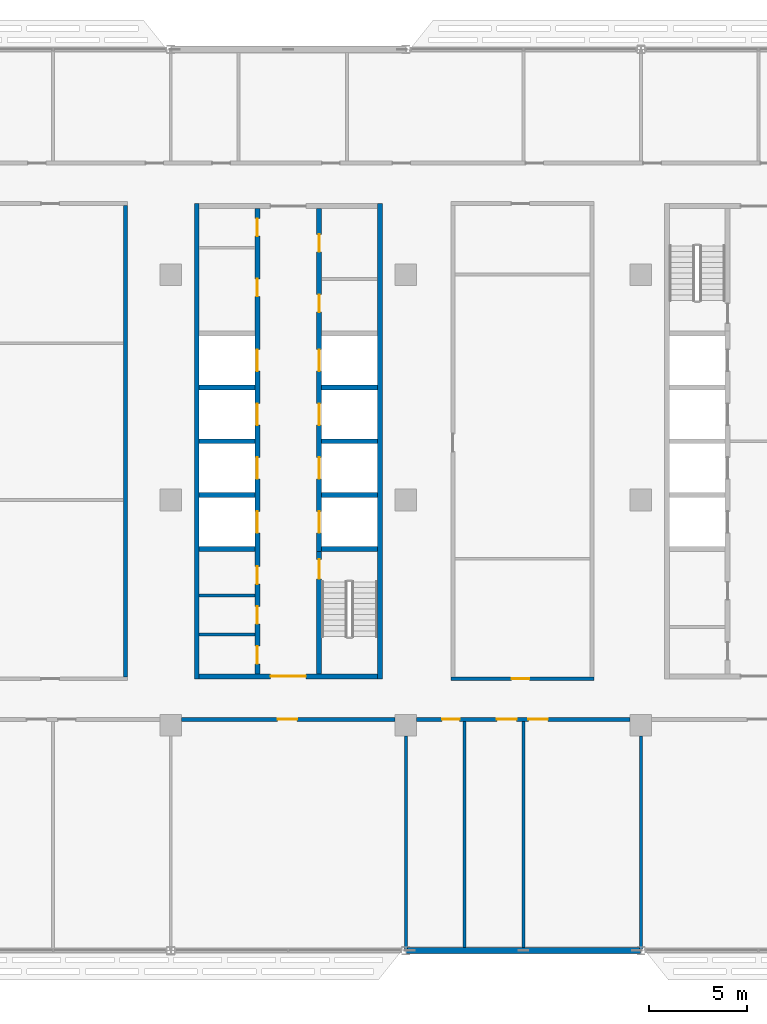
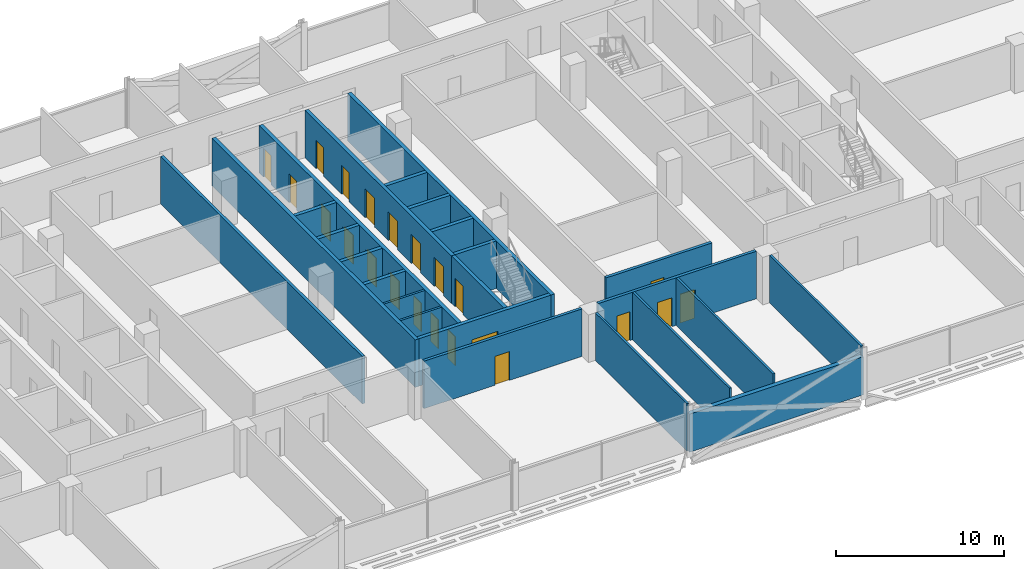
# One storey, part 14 of 30: 25 walls, 22 doors, 22 openings.
"""IFC4 building model written with IfcOpenShell, lengths in metres."""

from ifc_helpers import new_model, si_unit, direction, frame, frame_2d, origin, place, context, subcontext, project, spatial, rectangle, extrude, material, layer, layer_set, type_object, element, fill, save


model = new_model("IFC4")

# Units and contexts
model_context = context("Model", 3, precision=1e-05, world=origin(), true_north=direction((0.0, 1.0)))
body_context = subcontext(model_context, "Body", "Model", "MODEL_VIEW")
ifc_project = project(units=[si_unit("LENGTHUNIT", "METRE"), si_unit("AREAUNIT", "SQUARE_METRE"), si_unit("VOLUMEUNIT", "CUBIC_METRE"), si_unit("PLANEANGLEUNIT", "RADIAN"), si_unit("MASSUNIT", "GRAM", prefix="KILO")], contexts=[model_context])

# Site, building, storey
site_placement = place(None, origin())
site = spatial("IfcSite", under=ifc_project, at=site_placement, CompositionType="ELEMENT")
building_placement = place(site_placement, origin())
building = spatial("IfcBuilding", under=site, at=building_placement, Name="Mahtab Terrace Research Tower", CompositionType="ELEMENT")
storey_placement = place(building_placement, frame((0.0, 0.0, 212.89990234375)))
storey = spatial("IfcBuildingStorey", under=building, at=storey_placement, Name="L51", CompositionType="ELEMENT", Elevation=212.89990234375)

# Walls
ifc_material_1 = material(Name="Gypsum board partition")
ifc_layer_1 = layer(ifc_material_1, 0.14990234375)
ifc_layer_set_1 = layer_set([ifc_layer_1], Name="Core partition 150")
wall_type_1 = type_object("IfcWallType", Name="Core partition 150", PredefinedType="PARTITIONING", material=ifc_layer_set_1)
for number, where, z_axis, x_axis, name in (
    (1, (-4.550048828125, -6.875, 0.0), (0.0, 0.0, 1.0), (1.0, 0.0, 0.0), "Core wall B pWS-988"),
    (2, (-4.550048828125, -4.875, 0.0), (0.0, 0.0, 1.0), (1.0, 0.0, 0.0), "Core wall B pWS-788"),
):
    element("IfcWall", number, at=place(storey_placement, frame(where, z_axis=z_axis, x_axis=x_axis)), inside=storey, type_object=wall_type_1, Name=name, PredefinedType="PARTITIONING", context=body_context, shape_type="SweptSolid", body=[
        extrude(rectangle(XDim=2.85009765625, YDim=0.14990234375, at=frame_2d((1.425048828125, 0.0))), origin(), (0.0, 0.0, 1.0), 3.460205078125),
    ])
ifc_material_2 = material(Name="Concrete C70/85", Category="concrete")
ifc_layer_2 = layer(ifc_material_2, 0.25)
ifc_layer_set_2 = layer_set([ifc_layer_2], Name="Core wall 250")
wall_type_2 = type_object("IfcWallType", Name="Core wall 250", PredefinedType="SOLIDWALL", material=ifc_layer_set_2)
for number, where, z_axis, x_axis, name in (
    (3, (-4.675048828125, 15.125, 0.0), (0.0, 0.0, 1.0), (0.0, -1.0, 0.0), "Core wall B outerW"),
    (4, (4.675048828125, -9.125, 0.0), (0.0, 0.0, 1.0), (0.0, 1.0, 0.0), "Core wall B outerE"),
):
    element("IfcWall", number, at=place(storey_placement, frame(where, z_axis=z_axis, x_axis=x_axis)), inside=storey, type_object=wall_type_2, Name=name, PredefinedType="SOLIDWALL", context=body_context, shape_type="SweptSolid", body=[
        extrude(rectangle(XDim=24.25, YDim=0.25, at=frame_2d((12.125, 0.0))), origin(), (0.0, 0.0, 1.0), 3.460205078125),
    ])

# Wall, opening, door
wall_1_placement = place(storey_placement, frame((4.550048828125, -9.0, 0.0), z_axis=(0.0, 0.0, 1.0), x_axis=(-1.0, 0.0, 0.0)))
wall_1 = element("IfcWall", 5, at=wall_1_placement, inside=storey, type_object=wall_type_2, Name="Core wall B endS", PredefinedType="SOLIDWALL", context=body_context, shape_type="SweptSolid", body=[
    extrude(rectangle(XDim=9.10009765625, YDim=0.25, at=frame_2d((4.550048828125, 0.0))), origin(), (0.0, 0.0, 1.0), 3.460205078125),
])
opening_1_placement = place(wall_1_placement, frame((3.64990234375, 0.0, 0.0)))
opening_1 = element("IfcOpeningElement", 6, at=opening_1_placement, cuts=wall_1, Name="Opening B-S1", PredefinedType="OPENING", context=body_context, shape_type="SweptSolid", body=[
    extrude(rectangle(XDim=1.800048828125, YDim=2.10009765625, at=frame_2d((0.89990234375, 1.050048828125))), frame((0.0, 0.135009765625, 0.0), z_axis=(0.0, -1.0, 0.0), x_axis=(1.0, 0.0, 0.0)), (0.0, 0.0, 1.0), 0.27001953125),
])
ifc_material_3 = material(Name="Steel fire door", Category="steel")
door_type_1 = type_object("IfcDoorType", Name="Lobby double door 1800x2100 1 HR", OperationType="DOUBLE_DOOR_SINGLE_SWING", PredefinedType="DOOR", material=ifc_material_3)
door_1_placement = place(opening_1_placement, origin())
door_1 = element("IfcDoor", 7, at=door_1_placement, inside=storey, type_object=door_type_1, Name="Core entrance door B S", OperationType="DOUBLE_DOOR_SINGLE_SWING", OverallHeight=2.10009765625, OverallWidth=1.800048828125, PredefinedType="DOOR", context=body_context, shape_type="SweptSolid", body=[
    extrude(rectangle(XDim=1.800048828125, YDim=2.10009765625, at=frame_2d((0.89990234375, 1.050048828125))), frame((0.0, 0.02490234375, 0.0), z_axis=(0.0, -1.0, 0.0), x_axis=(1.0, 0.0, 0.0)), (0.0, 0.0, 1.0), 0.050048828125),
])
fill(opening_1, door_1)

# Wall, openings, doors
wall_2_placement = place(storey_placement, frame((-1.574951171875, -8.875, 0.0), z_axis=(0.0, 0.0, 1.0), x_axis=(0.0, 1.0, 0.0)))
wall_2 = element("IfcWall", 8, at=wall_2_placement, inside=storey, type_object=wall_type_2, Name="Core wall B innerWSLN", PredefinedType="SOLIDWALL", context=body_context, shape_type="SweptSolid", body=[
    extrude(rectangle(XDim=23.75, YDim=0.25, at=frame_2d((11.875, 0.0))), origin(), (0.0, 0.0, 1.0), 3.460205078125),
])
opening_2_placement = place(wall_2_placement, frame((7.199951171875, 0.0, 0.0)))
opening_2 = element("IfcOpeningElement", 9, at=opening_2_placement, cuts=wall_2, Name="Opening LD09-L51", PredefinedType="OPENING", context=body_context, shape_type="SweptSolid", body=[
    extrude(rectangle(XDim=1.10009765625, YDim=2.10009765625, at=frame_2d((0.550048828125, 1.050048828125))), frame((0.0, 0.135009765625, 0.0), z_axis=(0.0, -1.0, 0.0), x_axis=(1.0, 0.0, 0.0)), (0.0, 0.0, 1.0), 0.27001953125),
])
opening_3_placement = place(wall_2_placement, frame((9.949951171875, 0.0, 0.0)))
opening_3 = element("IfcOpeningElement", 10, at=opening_3_placement, cuts=wall_2, Name="Opening LD10-L51", PredefinedType="OPENING", context=body_context, shape_type="SweptSolid", body=[
    extrude(rectangle(XDim=1.10009765625, YDim=2.10009765625, at=frame_2d((0.550048828125, 1.050048828125))), frame((0.0, 0.135009765625, 0.0), z_axis=(0.0, -1.0, 0.0), x_axis=(1.0, 0.0, 0.0)), (0.0, 0.0, 1.0), 0.27001953125),
])
opening_4_placement = place(wall_2_placement, frame((12.699951171875, 0.0, 0.0)))
opening_4 = element("IfcOpeningElement", 11, at=opening_4_placement, cuts=wall_2, Name="Opening LD11-L51", PredefinedType="OPENING", context=body_context, shape_type="SweptSolid", body=[
    extrude(rectangle(XDim=1.10009765625, YDim=2.10009765625, at=frame_2d((0.550048828125, 1.050048828125))), frame((0.0, 0.135009765625, 0.0), z_axis=(0.0, -1.0, 0.0), x_axis=(1.0, 0.0, 0.0)), (0.0, 0.0, 1.0), 0.27001953125),
])
opening_5_placement = place(wall_2_placement, frame((15.449951171875, 0.0, 0.0)))
opening_5 = element("IfcOpeningElement", 12, at=opening_5_placement, cuts=wall_2, Name="Opening LD12-L51", PredefinedType="OPENING", context=body_context, shape_type="SweptSolid", body=[
    extrude(rectangle(XDim=1.10009765625, YDim=2.10009765625, at=frame_2d((0.550048828125, 1.050048828125))), frame((0.0, 0.135009765625, 0.0), z_axis=(0.0, -1.0, 0.0), x_axis=(1.0, 0.0, 0.0)), (0.0, 0.0, 1.0), 0.27001953125),
])
opening_6_placement = place(wall_2_placement, frame((0.512451171875, 0.0, 0.0)))
opening_6 = element("IfcOpeningElement", 13, at=opening_6_placement, cuts=wall_2, Name="Opening B-R1", PredefinedType="OPENING", context=body_context, shape_type="SweptSolid", body=[
    extrude(rectangle(XDim=0.89990234375, YDim=2.10009765625, at=frame_2d((0.449951171875, 1.050048828125))), frame((0.0, 0.135009765625, 0.0), z_axis=(0.0, -1.0, 0.0), x_axis=(1.0, 0.0, 0.0)), (0.0, 0.0, 1.0), 0.27001953125),
])
opening_7_placement = place(wall_2_placement, frame((2.550048828125, 0.0, 0.0)))
opening_7 = element("IfcOpeningElement", 14, at=opening_7_placement, cuts=wall_2, Name="Opening B-R2", PredefinedType="OPENING", context=body_context, shape_type="SweptSolid", body=[
    extrude(rectangle(XDim=0.89990234375, YDim=2.10009765625, at=frame_2d((0.449951171875, 1.050048828125))), frame((0.0, 0.135009765625, 0.0), z_axis=(0.0, -1.0, 0.0), x_axis=(1.0, 0.0, 0.0)), (0.0, 0.0, 1.0), 0.27001953125),
])
opening_8_placement = place(wall_2_placement, frame((4.58740234375, 0.0, 0.0)))
opening_8 = element("IfcOpeningElement", 15, at=opening_8_placement, cuts=wall_2, Name="Opening B-R3", PredefinedType="OPENING", context=body_context, shape_type="SweptSolid", body=[
    extrude(rectangle(XDim=0.89990234375, YDim=2.10009765625, at=frame_2d((0.449951171875, 1.050048828125))), frame((0.0, 0.135009765625, 0.0), z_axis=(0.0, -1.0, 0.0), x_axis=(1.0, 0.0, 0.0)), (0.0, 0.0, 1.0), 0.27001953125),
])
opening_9_placement = place(wall_2_placement, frame((19.262451171875, 0.0, 0.0)))
opening_9 = element("IfcOpeningElement", 16, at=opening_9_placement, cuts=wall_2, Name="Opening B-R4", PredefinedType="OPENING", context=body_context, shape_type="SweptSolid", body=[
    extrude(rectangle(XDim=0.89990234375, YDim=2.10009765625, at=frame_2d((0.449951171875, 1.050048828125))), frame((0.0, 0.135009765625, 0.0), z_axis=(0.0, -1.0, 0.0), x_axis=(1.0, 0.0, 0.0)), (0.0, 0.0, 1.0), 0.27001953125),
])
opening_10_placement = place(wall_2_placement, frame((22.33740234375, 0.0, 0.0)))
opening_10 = element("IfcOpeningElement", 17, at=opening_10_placement, cuts=wall_2, Name="Opening B-R5", PredefinedType="OPENING", context=body_context, shape_type="SweptSolid", body=[
    extrude(rectangle(XDim=0.89990234375, YDim=2.10009765625, at=frame_2d((0.449951171875, 1.050048828125))), frame((0.0, 0.135009765625, 0.0), z_axis=(0.0, -1.0, 0.0), x_axis=(1.0, 0.0, 0.0)), (0.0, 0.0, 1.0), 0.27001953125),
])
ifc_material_4 = material(Name="Stainless steel AISI 304", Category="steel")
door_type_2 = type_object("IfcDoorType", Name="Landing door 1100x2100", OperationType="DOUBLE_DOOR_SLIDING", PredefinedType="DOOR", material=ifc_material_4)
door_2_placement = place(opening_2_placement, origin())
door_2 = element("IfcDoor", 18, at=door_2_placement, inside=storey, type_object=door_type_2, Name="Landing door HR1 L51", OperationType="DOUBLE_DOOR_SLIDING", OverallHeight=2.10009765625, OverallWidth=1.10009765625, PredefinedType="DOOR", context=body_context, shape_type="SweptSolid", body=[
    extrude(rectangle(XDim=1.10009765625, YDim=2.10009765625, at=frame_2d((0.550048828125, 1.050048828125))), frame((0.0, 0.02490234375, 0.0), z_axis=(0.0, -1.0, 0.0), x_axis=(1.0, 0.0, 0.0)), (0.0, 0.0, 1.0), 0.050048828125),
])
fill(opening_2, door_2)
door_3_placement = place(opening_3_placement, origin())
door_3 = element("IfcDoor", 19, at=door_3_placement, inside=storey, type_object=door_type_2, Name="Landing door HR2 L51", OperationType="DOUBLE_DOOR_SLIDING", OverallHeight=2.10009765625, OverallWidth=1.10009765625, PredefinedType="DOOR", context=body_context, shape_type="SweptSolid", body=[
    extrude(rectangle(XDim=1.10009765625, YDim=2.10009765625, at=frame_2d((0.550048828125, 1.050048828125))), frame((0.0, 0.02490234375, 0.0), z_axis=(0.0, -1.0, 0.0), x_axis=(1.0, 0.0, 0.0)), (0.0, 0.0, 1.0), 0.050048828125),
])
fill(opening_3, door_3)
door_4_placement = place(opening_4_placement, origin())
door_4 = element("IfcDoor", 20, at=door_4_placement, inside=storey, type_object=door_type_2, Name="Landing door HR3 L51", OperationType="DOUBLE_DOOR_SLIDING", OverallHeight=2.10009765625, OverallWidth=1.10009765625, PredefinedType="DOOR", context=body_context, shape_type="SweptSolid", body=[
    extrude(rectangle(XDim=1.10009765625, YDim=2.10009765625, at=frame_2d((0.550048828125, 1.050048828125))), frame((0.0, 0.02490234375, 0.0), z_axis=(0.0, -1.0, 0.0), x_axis=(1.0, 0.0, 0.0)), (0.0, 0.0, 1.0), 0.050048828125),
])
fill(opening_4, door_4)
door_5_placement = place(opening_5_placement, origin())
door_5 = element("IfcDoor", 21, at=door_5_placement, inside=storey, type_object=door_type_2, Name="Landing door HR4 L51", OperationType="DOUBLE_DOOR_SLIDING", OverallHeight=2.10009765625, OverallWidth=1.10009765625, PredefinedType="DOOR", context=body_context, shape_type="SweptSolid", body=[
    extrude(rectangle(XDim=1.10009765625, YDim=2.10009765625, at=frame_2d((0.550048828125, 1.050048828125))), frame((0.0, 0.02490234375, 0.0), z_axis=(0.0, -1.0, 0.0), x_axis=(1.0, 0.0, 0.0)), (0.0, 0.0, 1.0), 0.050048828125),
])
fill(opening_5, door_5)
door_type_3 = type_object("IfcDoorType", Name="Room door 900x2100 1 HR", OperationType="NOTDEFINED", PredefinedType="DOOR", material=ifc_material_3)
door_6_placement = place(opening_6_placement, origin())
door_6 = element("IfcDoor", 22, at=door_6_placement, inside=storey, type_object=door_type_3, Name="Comms riser room door", OperationType="SINGLE_SWING_LEFT", OverallHeight=2.10009765625, OverallWidth=0.89990234375, PredefinedType="DOOR", context=body_context, shape_type="SweptSolid", body=[
    extrude(rectangle(XDim=0.89990234375, YDim=2.10009765625, at=frame_2d((0.449951171875, 1.050048828125))), frame((0.0, 0.02490234375, 0.0), z_axis=(0.0, -1.0, 0.0), x_axis=(1.0, 0.0, 0.0)), (0.0, 0.0, 1.0), 0.050048828125),
])
fill(opening_6, door_6)
door_7_placement = place(opening_7_placement, origin())
door_7 = element("IfcDoor", 23, at=door_7_placement, inside=storey, type_object=door_type_3, Name="Pantry door", OperationType="SINGLE_SWING_RIGHT", OverallHeight=2.10009765625, OverallWidth=0.89990234375, PredefinedType="DOOR", context=body_context, shape_type="SweptSolid", body=[
    extrude(rectangle(XDim=0.89990234375, YDim=2.10009765625, at=frame_2d((0.449951171875, 1.050048828125))), frame((0.0, 0.02490234375, 0.0), z_axis=(0.0, -1.0, 0.0), x_axis=(1.0, 0.0, 0.0)), (0.0, 0.0, 1.0), 0.050048828125),
])
fill(opening_7, door_7)
door_8_placement = place(opening_8_placement, origin())
door_8 = element("IfcDoor", 24, at=door_8_placement, inside=storey, type_object=door_type_3, Name="Cleaners store door", OperationType="SINGLE_SWING_LEFT", OverallHeight=2.10009765625, OverallWidth=0.89990234375, PredefinedType="DOOR", context=body_context, shape_type="SweptSolid", body=[
    extrude(rectangle(XDim=0.89990234375, YDim=2.10009765625, at=frame_2d((0.449951171875, 1.050048828125))), frame((0.0, 0.02490234375, 0.0), z_axis=(0.0, -1.0, 0.0), x_axis=(1.0, 0.0, 0.0)), (0.0, 0.0, 1.0), 0.050048828125),
])
fill(opening_8, door_8)
door_9_placement = place(opening_9_placement, origin())
door_9 = element("IfcDoor", 25, at=door_9_placement, inside=storey, type_object=door_type_3, Name="IT equipment room door", OperationType="SINGLE_SWING_RIGHT", OverallHeight=2.10009765625, OverallWidth=0.89990234375, PredefinedType="DOOR", context=body_context, shape_type="SweptSolid", body=[
    extrude(rectangle(XDim=0.89990234375, YDim=2.10009765625, at=frame_2d((0.449951171875, 1.050048828125))), frame((0.0, 0.02490234375, 0.0), z_axis=(0.0, -1.0, 0.0), x_axis=(1.0, 0.0, 0.0)), (0.0, 0.0, 1.0), 0.050048828125),
])
fill(opening_9, door_9)
door_10_placement = place(opening_10_placement, origin())
door_10 = element("IfcDoor", 26, at=door_10_placement, inside=storey, type_object=door_type_3, Name="Electrical riser room door", OperationType="SINGLE_SWING_LEFT", OverallHeight=2.10009765625, OverallWidth=0.89990234375, PredefinedType="DOOR", context=body_context, shape_type="SweptSolid", body=[
    extrude(rectangle(XDim=0.89990234375, YDim=2.10009765625, at=frame_2d((0.449951171875, 1.050048828125))), frame((0.0, 0.02490234375, 0.0), z_axis=(0.0, -1.0, 0.0), x_axis=(1.0, 0.0, 0.0)), (0.0, 0.0, 1.0), 0.050048828125),
])
fill(opening_10, door_10)

# Wall, opening, door
wall_3_placement = place(storey_placement, frame((1.574951171875, -8.875, 0.0), z_axis=(0.0, 0.0, 1.0), x_axis=(0.0, 1.0, 0.0)))
wall_3 = element("IfcWall", 27, at=wall_3_placement, inside=storey, type_object=wall_type_2, Name="Core wall B innerES", PredefinedType="SOLIDWALL", context=body_context, shape_type="SweptSolid", body=[
    extrude(rectangle(XDim=6.25, YDim=0.25, at=frame_2d((3.125, 0.0))), origin(), (0.0, 0.0, 1.0), 3.460205078125),
])
opening_11_placement = place(wall_3_placement, frame((4.85009765625, 0.0, 0.0)))
opening_11 = element("IfcOpeningElement", 28, at=opening_11_placement, cuts=wall_3, Name="Opening B-ST2", PredefinedType="OPENING", context=body_context, shape_type="SweptSolid", body=[
    extrude(rectangle(XDim=1.0, YDim=2.10009765625, at=frame_2d((0.5, 1.050048828125))), frame((0.0, 0.135009765625, 0.0), z_axis=(0.0, -1.0, 0.0), x_axis=(1.0, 0.0, 0.0)), (0.0, 0.0, 1.0), 0.27001953125),
])
door_type_4 = type_object("IfcDoorType", Name="Stair door 1000x2100 1.5 HR", OperationType="NOTDEFINED", PredefinedType="DOOR", material=ifc_material_3)
door_11_placement = place(opening_11_placement, origin())
door_11 = element("IfcDoor", 29, at=door_11_placement, inside=storey, type_object=door_type_4, Name="Stair door ST2 L51", OperationType="SINGLE_SWING_RIGHT", OverallHeight=2.10009765625, OverallWidth=1.0, PredefinedType="DOOR", context=body_context, shape_type="SweptSolid", body=[
    extrude(rectangle(XDim=1.0, YDim=2.10009765625, at=frame_2d((0.5, 1.050048828125))), frame((0.0, 0.02490234375, 0.0), z_axis=(0.0, -1.0, 0.0), x_axis=(1.0, 0.0, 0.0)), (0.0, 0.0, 1.0), 0.050048828125),
])
fill(opening_11, door_11)

# Wall, openings, doors
wall_4_placement = place(storey_placement, frame((1.574951171875, 14.875, 0.0), z_axis=(0.0, 0.0, 1.0), x_axis=(0.0, -1.0, 0.0)))
wall_4 = element("IfcWall", 30, at=wall_4_placement, inside=storey, type_object=wall_type_2, Name="Core wall B innerELN", PredefinedType="SOLIDWALL", context=body_context, shape_type="SweptSolid", body=[
    extrude(rectangle(XDim=17.5, YDim=0.25, at=frame_2d((8.75, 0.0))), origin(), (0.0, 0.0, 1.0), 3.460205078125),
])
opening_12_placement = place(wall_4_placement, frame((15.449951171875, 0.0, 0.0)))
opening_12 = element("IfcOpeningElement", 31, at=opening_12_placement, cuts=wall_4, Name="Opening LD13-L51", PredefinedType="OPENING", context=body_context, shape_type="SweptSolid", body=[
    extrude(rectangle(XDim=1.10009765625, YDim=2.10009765625, at=frame_2d((0.550048828125, 1.050048828125))), frame((0.0, 0.135009765625, 0.0), z_axis=(0.0, -1.0, 0.0), x_axis=(1.0, 0.0, 0.0)), (0.0, 0.0, 1.0), 0.27001953125),
])
opening_13_placement = place(wall_4_placement, frame((12.699951171875, 0.0, 0.0)))
opening_13 = element("IfcOpeningElement", 32, at=opening_13_placement, cuts=wall_4, Name="Opening LD14-L51", PredefinedType="OPENING", context=body_context, shape_type="SweptSolid", body=[
    extrude(rectangle(XDim=1.10009765625, YDim=2.10009765625, at=frame_2d((0.550048828125, 1.050048828125))), frame((0.0, 0.135009765625, 0.0), z_axis=(0.0, -1.0, 0.0), x_axis=(1.0, 0.0, 0.0)), (0.0, 0.0, 1.0), 0.27001953125),
])
opening_14_placement = place(wall_4_placement, frame((9.949951171875, 0.0, 0.0)))
opening_14 = element("IfcOpeningElement", 33, at=opening_14_placement, cuts=wall_4, Name="Opening LD15-L51", PredefinedType="OPENING", context=body_context, shape_type="SweptSolid", body=[
    extrude(rectangle(XDim=1.10009765625, YDim=2.10009765625, at=frame_2d((0.550048828125, 1.050048828125))), frame((0.0, 0.135009765625, 0.0), z_axis=(0.0, -1.0, 0.0), x_axis=(1.0, 0.0, 0.0)), (0.0, 0.0, 1.0), 0.27001953125),
])
opening_15_placement = place(wall_4_placement, frame((7.199951171875, 0.0, 0.0)))
opening_15 = element("IfcOpeningElement", 34, at=opening_15_placement, cuts=wall_4, Name="Opening LD16-L51", PredefinedType="OPENING", context=body_context, shape_type="SweptSolid", body=[
    extrude(rectangle(XDim=1.10009765625, YDim=2.10009765625, at=frame_2d((0.550048828125, 1.050048828125))), frame((0.0, 0.135009765625, 0.0), z_axis=(0.0, -1.0, 0.0), x_axis=(1.0, 0.0, 0.0)), (0.0, 0.0, 1.0), 0.27001953125),
])
opening_16_placement = place(wall_4_placement, frame((4.387451171875, 0.0, 0.0)))
opening_16 = element("IfcOpeningElement", 35, at=opening_16_placement, cuts=wall_4, Name="Opening B-R6", PredefinedType="OPENING", context=body_context, shape_type="SweptSolid", body=[
    extrude(rectangle(XDim=0.89990234375, YDim=2.10009765625, at=frame_2d((0.449951171875, 1.050048828125))), frame((0.0, 0.135009765625, 0.0), z_axis=(0.0, -1.0, 0.0), x_axis=(1.0, 0.0, 0.0)), (0.0, 0.0, 1.0), 0.27001953125),
])
opening_17_placement = place(wall_4_placement, frame((1.3125, 0.0, 0.0)))
opening_17 = element("IfcOpeningElement", 36, at=opening_17_placement, cuts=wall_4, Name="Opening B-R7", PredefinedType="OPENING", context=body_context, shape_type="SweptSolid", body=[
    extrude(rectangle(XDim=0.89990234375, YDim=2.10009765625, at=frame_2d((0.449951171875, 1.050048828125))), frame((0.0, 0.135009765625, 0.0), z_axis=(0.0, -1.0, 0.0), x_axis=(1.0, 0.0, 0.0)), (0.0, 0.0, 1.0), 0.27001953125),
])
door_12_placement = place(opening_12_placement, origin())
door_12 = element("IfcDoor", 37, at=door_12_placement, inside=storey, type_object=door_type_2, Name="Landing door HR5 L51", OperationType="DOUBLE_DOOR_SLIDING", OverallHeight=2.10009765625, OverallWidth=1.10009765625, PredefinedType="DOOR", context=body_context, shape_type="SweptSolid", body=[
    extrude(rectangle(XDim=1.10009765625, YDim=2.10009765625, at=frame_2d((0.550048828125, 1.050048828125))), frame((0.0, 0.02490234375, 0.0), z_axis=(0.0, -1.0, 0.0), x_axis=(1.0, 0.0, 0.0)), (0.0, 0.0, 1.0), 0.050048828125),
])
fill(opening_12, door_12)
door_13_placement = place(opening_13_placement, origin())
door_13 = element("IfcDoor", 38, at=door_13_placement, inside=storey, type_object=door_type_2, Name="Landing door HR6 L51", OperationType="DOUBLE_DOOR_SLIDING", OverallHeight=2.10009765625, OverallWidth=1.10009765625, PredefinedType="DOOR", context=body_context, shape_type="SweptSolid", body=[
    extrude(rectangle(XDim=1.10009765625, YDim=2.10009765625, at=frame_2d((0.550048828125, 1.050048828125))), frame((0.0, 0.02490234375, 0.0), z_axis=(0.0, -1.0, 0.0), x_axis=(1.0, 0.0, 0.0)), (0.0, 0.0, 1.0), 0.050048828125),
])
fill(opening_13, door_13)
door_14_placement = place(opening_14_placement, origin())
door_14 = element("IfcDoor", 39, at=door_14_placement, inside=storey, type_object=door_type_2, Name="Landing door HR7 L51", OperationType="DOUBLE_DOOR_SLIDING", OverallHeight=2.10009765625, OverallWidth=1.10009765625, PredefinedType="DOOR", context=body_context, shape_type="SweptSolid", body=[
    extrude(rectangle(XDim=1.10009765625, YDim=2.10009765625, at=frame_2d((0.550048828125, 1.050048828125))), frame((0.0, 0.02490234375, 0.0), z_axis=(0.0, -1.0, 0.0), x_axis=(1.0, 0.0, 0.0)), (0.0, 0.0, 1.0), 0.050048828125),
])
fill(opening_14, door_14)
door_15_placement = place(opening_15_placement, origin())
door_15 = element("IfcDoor", 40, at=door_15_placement, inside=storey, type_object=door_type_2, Name="Landing door HR8 L51", OperationType="DOUBLE_DOOR_SLIDING", OverallHeight=2.10009765625, OverallWidth=1.10009765625, PredefinedType="DOOR", context=body_context, shape_type="SweptSolid", body=[
    extrude(rectangle(XDim=1.10009765625, YDim=2.10009765625, at=frame_2d((0.550048828125, 1.050048828125))), frame((0.0, 0.02490234375, 0.0), z_axis=(0.0, -1.0, 0.0), x_axis=(1.0, 0.0, 0.0)), (0.0, 0.0, 1.0), 0.050048828125),
])
fill(opening_15, door_15)
door_16_placement = place(opening_16_placement, origin())
door_16 = element("IfcDoor", 41, at=door_16_placement, inside=storey, type_object=door_type_3, Name="Accessible WC door", OperationType="SINGLE_SWING_RIGHT", OverallHeight=2.10009765625, OverallWidth=0.89990234375, PredefinedType="DOOR", context=body_context, shape_type="SweptSolid", body=[
    extrude(rectangle(XDim=0.89990234375, YDim=2.10009765625, at=frame_2d((0.449951171875, 1.050048828125))), frame((0.0, 0.02490234375, 0.0), z_axis=(0.0, -1.0, 0.0), x_axis=(1.0, 0.0, 0.0)), (0.0, 0.0, 1.0), 0.050048828125),
])
fill(opening_16, door_16)
door_17_placement = place(opening_17_placement, origin())
door_17 = element("IfcDoor", 42, at=door_17_placement, inside=storey, type_object=door_type_3, Name="WC block door", OperationType="SINGLE_SWING_LEFT", OverallHeight=2.10009765625, OverallWidth=0.89990234375, PredefinedType="DOOR", context=body_context, shape_type="SweptSolid", body=[
    extrude(rectangle(XDim=0.89990234375, YDim=2.10009765625, at=frame_2d((0.449951171875, 1.050048828125))), frame((0.0, 0.02490234375, 0.0), z_axis=(0.0, -1.0, 0.0), x_axis=(1.0, 0.0, 0.0)), (0.0, 0.0, 1.0), 0.050048828125),
])
fill(opening_17, door_17)

# Walls
for number, where, z_axis, x_axis, name in (
    (43, (-4.550048828125, -2.5, 0.0), (0.0, 0.0, 1.0), (1.0, 0.0, 0.0), "Core wall B divW0"),
    (44, (-4.550048828125, 0.25, 0.0), (0.0, 0.0, 1.0), (1.0, 0.0, 0.0), "Core wall B divW1"),
    (45, (-4.550048828125, 3.0, 0.0), (0.0, 0.0, 1.0), (1.0, 0.0, 0.0), "Core wall B divW2"),
    (46, (-4.550048828125, 5.75, 0.0), (0.0, 0.0, 1.0), (1.0, 0.0, 0.0), "Core wall B divW3"),
    (47, (1.699951171875, -2.5, 0.0), (0.0, 0.0, 1.0), (1.0, 0.0, 0.0), "Core wall B divE0"),
    (48, (1.699951171875, 0.25, 0.0), (0.0, 0.0, 1.0), (1.0, 0.0, 0.0), "Core wall B divE1"),
    (49, (1.699951171875, 3.0, 0.0), (0.0, 0.0, 1.0), (1.0, 0.0, 0.0), "Core wall B divE2"),
    (50, (1.699951171875, 5.75, 0.0), (0.0, 0.0, 1.0), (1.0, 0.0, 0.0), "Core wall B divE3"),
):
    element("IfcWall", number, at=place(storey_placement, frame(where, z_axis=z_axis, x_axis=x_axis)), inside=storey, type_object=wall_type_2, Name=name, PredefinedType="SOLIDWALL", context=body_context, shape_type="SweptSolid", body=[
        extrude(rectangle(XDim=2.85009765625, YDim=0.25, at=frame_2d((1.425048828125, 0.0))), origin(), (0.0, 0.0, 1.0), 3.460205078125),
    ])
ifc_material_5 = material(Name="Black aluminium cladding panel", Category="aluminium")
ifc_layer_3 = layer(ifc_material_5, 0.300048828125)
ifc_layer_set_3 = layer_set([ifc_layer_3], Name="Opaque facade wall 300")
wall_type_3 = type_object("IfcWallType", Name="Opaque facade wall 300", PredefinedType="NOTDEFINED", material=ifc_layer_set_3)
wall_5_placement = place(storey_placement, frame((6.012451171875, -23.0, 0.0), z_axis=(0.0, 0.0, 1.0), x_axis=(1.0, 0.0, 0.0)))
element("IfcWall", 51, at=wall_5_placement, inside=storey, type_object=wall_type_3, Name="Opaque facade wall L51 S27", PredefinedType="NOTDEFINED", context=body_context, shape_type="SweptSolid", body=[
    extrude(rectangle(XDim=11.97509765625, YDim=0.300048828125, at=frame_2d((5.987548828125, 0.0))), origin(), (0.0, 0.0, 1.0), 2.781982421875),
])

# Wall, opening, door
ifc_material_6 = material(Name="Gypsum board corridor wall on steel studs", Category="steel")
ifc_layer_4 = layer(ifc_material_6, 0.199951171875)
ifc_layer_set_4 = layer_set([ifc_layer_4], Name="WALL CORRIDOR 200")
wall_type_4 = type_object("IfcWallType", Name="WALL CORRIDOR 200", PredefinedType="PARTITIONING", material=ifc_layer_set_4)
wall_6_placement = place(storey_placement, frame((-5.449951171875, -11.199951171875, 0.0), z_axis=(0.0, 0.0, 1.0), x_axis=(1.0, 0.0, 0.0)))
wall_6 = element("IfcWall", 52, at=wall_6_placement, inside=storey, type_object=wall_type_4, Name="L51-W004", PredefinedType="PARTITIONING", context=body_context, shape_type="SweptSolid", body=[
    extrude(rectangle(XDim=10.89990234375, YDim=0.199951171875, at=frame_2d((5.449951171875, 0.0))), origin(), (0.0, 0.0, 1.0), 3.460205078125),
])
opening_18_placement = place(wall_6_placement, frame((4.89990234375, 0.0, 0.0)))
opening_18 = element("IfcOpeningElement", 53, at=opening_18_placement, cuts=wall_6, Name="Opening L51-107", PredefinedType="OPENING", context=body_context, shape_type="SweptSolid", body=[
    extrude(rectangle(XDim=1.0, YDim=2.10009765625, at=frame_2d((0.5, 1.050048828125))), frame((0.0, 0.10986328125, 0.0), z_axis=(0.0, -1.0, 0.0), x_axis=(1.0, 0.0, 0.0)), (0.0, 0.0, 1.0), 0.219970703125),
])
ifc_material_7 = material(Name="Timber door leaf in steel frame", Category="steel")
door_type_5 = type_object("IfcDoorType", Name="DOOR 1000X2100 FD30S", OperationType="SINGLE_SWING_LEFT", PredefinedType="DOOR", material=ifc_material_7)
door_18_placement = place(opening_18_placement, origin())
door_18 = element("IfcDoor", 54, at=door_18_placement, inside=storey, type_object=door_type_5, Name="Door L51-107", OperationType="SINGLE_SWING_RIGHT", OverallHeight=2.10009765625, OverallWidth=1.0, PredefinedType="DOOR", context=body_context, shape_type="SweptSolid", body=[
    extrude(rectangle(XDim=1.0, YDim=2.10009765625, at=frame_2d((0.5, 1.050048828125))), frame((0.0, 0.02490234375, 0.0), z_axis=(0.0, -1.0, 0.0), x_axis=(1.0, 0.0, 0.0)), (0.0, 0.0, 1.0), 0.050048828125),
])
fill(opening_18, door_18)

# Wall, openings, doors
wall_7_placement = place(storey_placement, frame((6.550048828125, -11.199951171875, 0.0), z_axis=(0.0, 0.0, 1.0), x_axis=(1.0, 0.0, 0.0)))
wall_7 = element("IfcWall", 55, at=wall_7_placement, inside=storey, type_object=wall_type_4, Name="L51-W005", PredefinedType="PARTITIONING", context=body_context, shape_type="SweptSolid", body=[
    extrude(rectangle(XDim=10.89990234375, YDim=0.199951171875, at=frame_2d((5.449951171875, 0.0))), origin(), (0.0, 0.0, 1.0), 3.460205078125),
])
opening_19_placement = place(wall_7_placement, frame((1.300048828125, 0.0, 0.0)))
opening_19 = element("IfcOpeningElement", 56, at=opening_19_placement, cuts=wall_7, Name="Opening L51-108", PredefinedType="OPENING", context=body_context, shape_type="SweptSolid", body=[
    extrude(rectangle(XDim=0.89990234375, YDim=2.10009765625, at=frame_2d((0.449951171875, 1.050048828125))), frame((0.0, 0.10986328125, 0.0), z_axis=(0.0, -1.0, 0.0), x_axis=(1.0, 0.0, 0.0)), (0.0, 0.0, 1.0), 0.219970703125),
])
opening_20_placement = place(wall_7_placement, frame((4.10009765625, 0.0, 0.0)))
opening_20 = element("IfcOpeningElement", 57, at=opening_20_placement, cuts=wall_7, Name="Opening L51-109", PredefinedType="OPENING", context=body_context, shape_type="SweptSolid", body=[
    extrude(rectangle(XDim=1.0, YDim=2.10009765625, at=frame_2d((0.5, 1.050048828125))), frame((0.0, 0.10986328125, 0.0), z_axis=(0.0, -1.0, 0.0), x_axis=(1.0, 0.0, 0.0)), (0.0, 0.0, 1.0), 0.219970703125),
])
opening_21_placement = place(wall_7_placement, frame((5.699951171875, 0.0, 0.0)))
opening_21 = element("IfcOpeningElement", 58, at=opening_21_placement, cuts=wall_7, Name="Opening L51-110", PredefinedType="OPENING", context=body_context, shape_type="SweptSolid", body=[
    extrude(rectangle(XDim=1.0, YDim=2.10009765625, at=frame_2d((0.5, 1.050048828125))), frame((0.0, 0.10986328125, 0.0), z_axis=(0.0, -1.0, 0.0), x_axis=(1.0, 0.0, 0.0)), (0.0, 0.0, 1.0), 0.219970703125),
])
door_type_6 = type_object("IfcDoorType", Name="DOOR 0900X2100 FD30S", OperationType="SINGLE_SWING_LEFT", PredefinedType="DOOR", material=ifc_material_7)
door_19_placement = place(opening_19_placement, origin())
door_19 = element("IfcDoor", 59, at=door_19_placement, inside=storey, type_object=door_type_6, Name="Door L51-108", OperationType="SINGLE_SWING_RIGHT", OverallHeight=2.10009765625, OverallWidth=0.89990234375, PredefinedType="DOOR", context=body_context, shape_type="SweptSolid", body=[
    extrude(rectangle(XDim=0.89990234375, YDim=2.10009765625, at=frame_2d((0.449951171875, 1.050048828125))), frame((0.0, 0.02490234375, 0.0), z_axis=(0.0, -1.0, 0.0), x_axis=(1.0, 0.0, 0.0)), (0.0, 0.0, 1.0), 0.050048828125),
])
fill(opening_19, door_19)
door_20_placement = place(opening_20_placement, origin())
door_20 = element("IfcDoor", 60, at=door_20_placement, inside=storey, type_object=door_type_5, Name="Door L51-109", OperationType="SINGLE_SWING_RIGHT", OverallHeight=2.10009765625, OverallWidth=1.0, PredefinedType="DOOR", context=body_context, shape_type="SweptSolid", body=[
    extrude(rectangle(XDim=1.0, YDim=2.10009765625, at=frame_2d((0.5, 1.050048828125))), frame((0.0, 0.02490234375, 0.0), z_axis=(0.0, -1.0, 0.0), x_axis=(1.0, 0.0, 0.0)), (0.0, 0.0, 1.0), 0.050048828125),
])
fill(opening_20, door_20)
door_21_placement = place(opening_21_placement, origin())
door_21 = element("IfcDoor", 61, at=door_21_placement, inside=storey, type_object=door_type_5, Name="Door L51-110", OperationType="SINGLE_SWING_LEFT", OverallHeight=2.10009765625, OverallWidth=1.0, PredefinedType="DOOR", context=body_context, shape_type="SweptSolid", body=[
    extrude(rectangle(XDim=1.0, YDim=2.10009765625, at=frame_2d((0.5, 1.050048828125))), frame((0.0, 0.02490234375, 0.0), z_axis=(0.0, -1.0, 0.0), x_axis=(1.0, 0.0, 0.0)), (0.0, 0.0, 1.0), 0.050048828125),
])
fill(opening_21, door_21)

# Wall, opening, door
wall_8_placement = place(storey_placement, frame((8.300048828125, -9.125, 0.0), z_axis=(0.0, 0.0, 1.0), x_axis=(1.0, 0.0, 0.0)))
wall_8 = element("IfcWall", 62, at=wall_8_placement, inside=storey, type_object=wall_type_4, Name="L51-W011", PredefinedType="PARTITIONING", context=body_context, shape_type="SweptSolid", body=[
    extrude(rectangle(XDim=7.300048828125, YDim=0.199951171875, at=frame_2d((3.64990234375, 0.0))), origin(), (0.0, 0.0, 1.0), 3.460205078125),
])
opening_22_placement = place(wall_8_placement, frame((3.10009765625, 0.0, 0.0)))
opening_22 = element("IfcOpeningElement", 63, at=opening_22_placement, cuts=wall_8, Name="Opening L51-117", PredefinedType="OPENING", context=body_context, shape_type="SweptSolid", body=[
    extrude(rectangle(XDim=0.89990234375, YDim=2.10009765625, at=frame_2d((0.449951171875, 1.050048828125))), frame((0.0, 0.10986328125, 0.0), z_axis=(0.0, -1.0, 0.0), x_axis=(1.0, 0.0, 0.0)), (0.0, 0.0, 1.0), 0.219970703125),
])
door_22_placement = place(opening_22_placement, origin())
door_22 = element("IfcDoor", 64, at=door_22_placement, inside=storey, type_object=door_type_6, Name="Door L51-117", OperationType="SINGLE_SWING_LEFT", OverallHeight=2.10009765625, OverallWidth=0.89990234375, PredefinedType="DOOR", context=body_context, shape_type="SweptSolid", body=[
    extrude(rectangle(XDim=0.89990234375, YDim=2.10009765625, at=frame_2d((0.449951171875, 1.050048828125))), frame((0.0, 0.02490234375, 0.0), z_axis=(0.0, -1.0, 0.0), x_axis=(1.0, 0.0, 0.0)), (0.0, 0.0, 1.0), 0.050048828125),
])
fill(opening_22, door_22)

# Walls
wall_9_placement = place(storey_placement, frame((-8.300048828125, -9.02490234375, 0.0), z_axis=(0.0, 0.0, 1.0), x_axis=(0.0, 1.0, 0.0)))
element("IfcWall", 65, at=wall_9_placement, inside=storey, type_object=wall_type_4, Name="L51-W039", PredefinedType="PARTITIONING", context=body_context, shape_type="SweptSolid", body=[
    extrude(rectangle(XDim=24.0498046875, YDim=0.199951171875, at=frame_2d((12.02490234375, 0.0))), origin(), (0.0, 0.0, 1.0), 3.460205078125),
])
ifc_material_8 = material(Name="Gypsum board partition on steel studs", Category="steel")
ifc_layer_5 = layer(ifc_material_8, 0.14990234375)
ifc_layer_set_5 = layer_set([ifc_layer_5], Name="WALL PARTITION 150")
wall_type_5 = type_object("IfcWallType", Name="WALL PARTITION 150", PredefinedType="PARTITIONING", material=ifc_layer_set_5)
wall_10_placement = place(storey_placement, frame((6.0, -22.97509765625, 0.0), z_axis=(0.0, 0.0, 1.0), x_axis=(0.0, 1.0, 0.0)))
element("IfcWall", 66, at=wall_10_placement, inside=storey, type_object=wall_type_5, Name="L51-W044", PredefinedType="PARTITIONING", context=body_context, shape_type="SweptSolid", body=[
    extrude(rectangle(XDim=10.925048828125, YDim=0.14990234375, at=frame_2d((5.46240234375, 0.0))), origin(), (0.0, 0.0, 1.0), 3.460205078125),
])
for number, where, z_axis, x_axis, name in (
    (67, (9.0, -22.85009765625, 0.0), (0.0, 0.0, 1.0), (0.0, 1.0, 0.0), "L51-W046"),
    (68, (12.0, -22.85009765625, 0.0), (0.0, 0.0, 1.0), (0.0, 1.0, 0.0), "L51-W047"),
):
    element("IfcWall", number, at=place(storey_placement, frame(where, z_axis=z_axis, x_axis=x_axis)), inside=storey, type_object=wall_type_5, Name=name, PredefinedType="PARTITIONING", context=body_context, shape_type="SweptSolid", body=[
        extrude(rectangle(XDim=11.550048828125, YDim=0.14990234375, at=frame_2d((5.77490234375, 0.0))), origin(), (0.0, 0.0, 1.0), 3.460205078125),
    ])
wall_11_placement = place(storey_placement, frame((18.0, -22.97509765625, 0.0), z_axis=(0.0, 0.0, 1.0), x_axis=(0.0, 1.0, 0.0)))
element("IfcWall", 69, at=wall_11_placement, inside=storey, type_object=wall_type_5, Name="L51-W050", PredefinedType="PARTITIONING", context=body_context, shape_type="SweptSolid", body=[
    extrude(rectangle(XDim=10.925048828125, YDim=0.14990234375, at=frame_2d((5.46240234375, 0.0))), origin(), (0.0, 0.0, 1.0), 3.460205078125),
])

save(model, "model.ifc")
